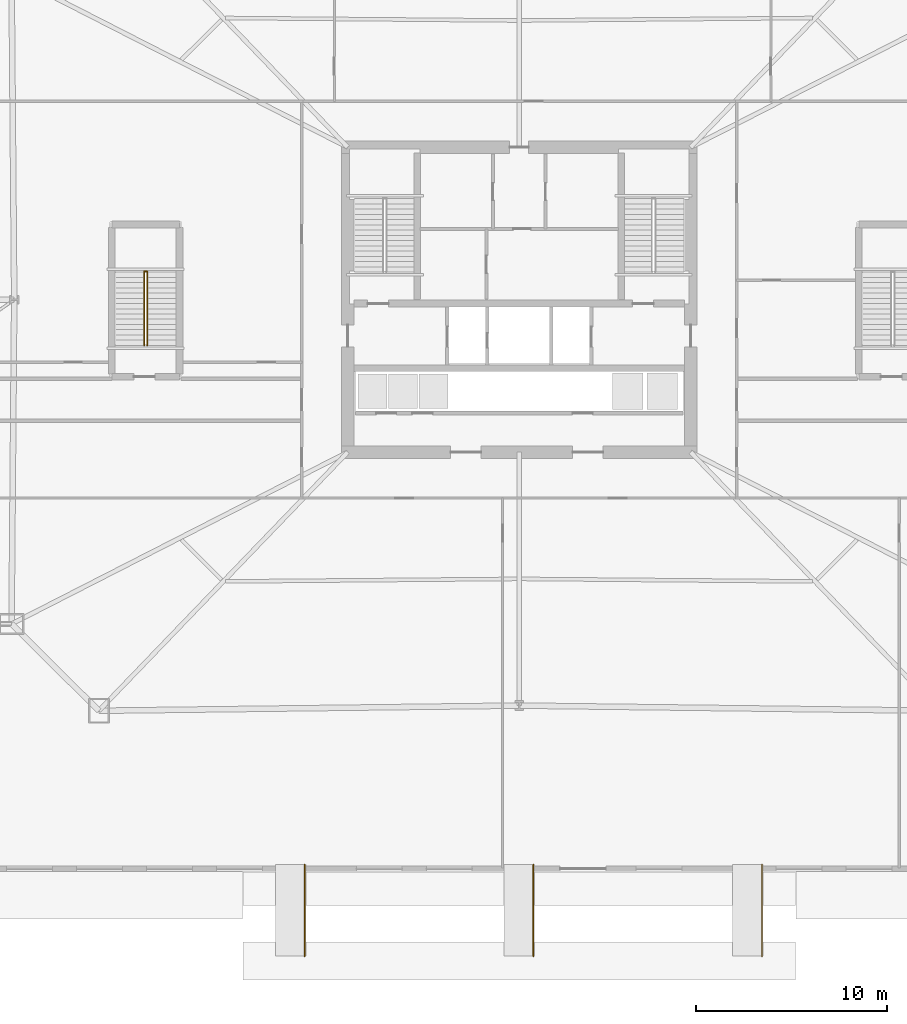
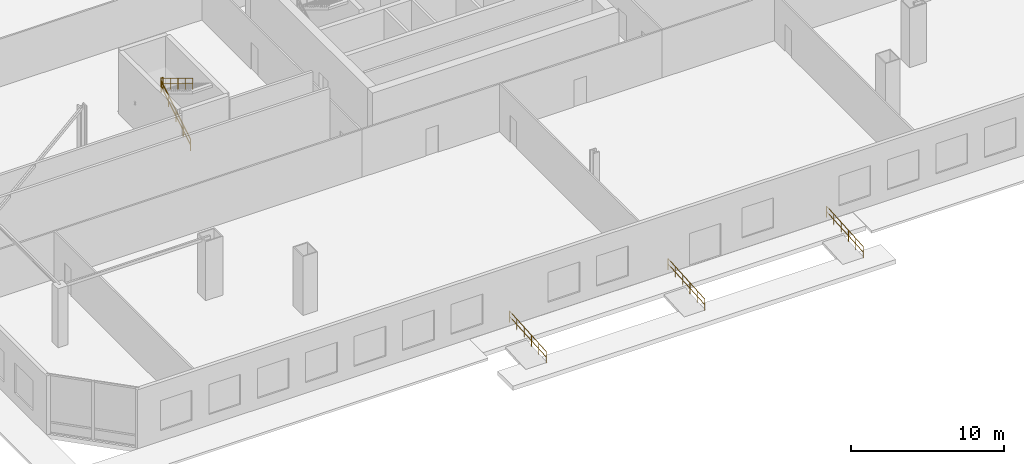
# One storey, part 20 of 23: 6 railings.
"""IFC4 building model written with IfcOpenShell, lengths in metres."""

from ifc_helpers import new_model, si_unit, direction, frame, origin, origin_2d, place, context, subcontext, project, spatial, circle, extrude, material, type_object, element, save


model = new_model("IFC4")

# Units and contexts
model_context = context("Model", 3, precision=1e-05, world=origin(), true_north=direction((0.0, 1.0)))
body_context = subcontext(model_context, "Body", "Model", "MODEL_VIEW")
ifc_project = project(units=[si_unit("LENGTHUNIT", "METRE"), si_unit("AREAUNIT", "SQUARE_METRE"), si_unit("VOLUMEUNIT", "CUBIC_METRE"), si_unit("PLANEANGLEUNIT", "RADIAN"), si_unit("MASSUNIT", "GRAM", prefix="KILO")], contexts=[model_context])

# Site, building, storey
site_placement = place(None, origin())
site = spatial("IfcSite", under=ifc_project, at=site_placement, CompositionType="ELEMENT")
building_placement = place(site_placement, origin())
building = spatial("IfcBuilding", under=site, at=building_placement, Name="Caelvoria Tower", CompositionType="ELEMENT")
storey_placement = place(building_placement, origin())
storey = spatial("IfcBuildingStorey", under=building, at=storey_placement, Name="L00", CompositionType="ELEMENT", Elevation=0.0)

# Railings
ifc_material_1 = material(Name="Brushed Stainless Steel Tube", Category="steel")
railing_type_1 = type_object("IfcRailingType", Name="Stair Tubular Stainless Handrail 920", PredefinedType="HANDRAIL", material=ifc_material_1)
railing_1_placement = place(storey_placement, frame((26.320068359375, 29.60009765625, 0.166748046875)))
element("IfcRailing", 1, at=railing_1_placement, inside=storey, type_object=railing_type_1, Name="ST-03 Flight 1 Handrail L00", PredefinedType="HANDRAIL", context=body_context, shape_type="SweptSolid", body=[
    extrude(circle(Radius=0.02392578125, at=origin_2d()), frame((0.0, 0.0, 0.89599609375), z_axis=(0.0, 0.855197103107, 0.518302918029), x_axis=(-1.0, 0.0, 0.0)), (0.0, 0.0, 1.0), 4.501708984375),
    extrude(circle(Radius=0.02392578125, at=origin_2d()), frame((0.0, 0.0, 0.4599609375), z_axis=(0.0, 0.855197103107, 0.518302918029), x_axis=(-1.0, 0.0, 0.0)), (0.0, 0.0, 1.0), 4.501708984375),
    extrude(circle(Radius=0.02099609375, at=origin_2d()), origin(), (0.0, 0.0, 1.0), 0.871826171875),
    extrude(circle(Radius=0.02099609375, at=origin_2d()), frame((0.0, 0.96240234375, 0.583251953125)), (0.0, 0.0, 1.0), 0.871826171875),
    extrude(circle(Radius=0.02099609375, at=origin_2d()), frame((0.0, 1.9248046875, 1.16650390625)), (0.0, 0.0, 1.0), 0.871826171875),
    extrude(circle(Radius=0.02099609375, at=origin_2d()), frame((0.0, 2.887451171875, 1.75)), (0.0, 0.0, 1.0), 0.871826171875),
    extrude(circle(Radius=0.02099609375, at=origin_2d()), frame((0.0, 3.849853515625, 2.333251953125)), (0.0, 0.0, 1.0), 0.871826171875),
])
railing_2_placement = place(storey_placement, frame((26.47998046875, 33.449951171875, 2.666748046875)))
element("IfcRailing", 2, at=railing_2_placement, inside=storey, type_object=railing_type_1, Name="ST-03 Flight 2 Handrail L00", PredefinedType="HANDRAIL", context=body_context, shape_type="SweptSolid", body=[
    extrude(circle(Radius=0.02392578125, at=origin_2d()), frame((0.0, 0.0, 0.89599609375), z_axis=(0.0, -0.855197103107, 0.518302918029), x_axis=(1.0, 0.0, 0.0)), (0.0, 0.0, 1.0), 4.501708984375),
    extrude(circle(Radius=0.02392578125, at=origin_2d()), frame((0.0, 0.0, 0.4599609375), z_axis=(0.0, -0.855197103107, 0.518302918029), x_axis=(1.0, 0.0, 0.0)), (0.0, 0.0, 1.0), 4.501708984375),
    extrude(circle(Radius=0.02099609375, at=origin_2d()), origin(), (0.0, 0.0, 1.0), 0.871826171875),
    extrude(circle(Radius=0.02099609375, at=origin_2d()), frame((0.0, -0.96240234375, 0.583251953125)), (0.0, 0.0, 1.0), 0.871826171875),
    extrude(circle(Radius=0.02099609375, at=origin_2d()), frame((0.0, -1.9248046875, 1.16650390625)), (0.0, 0.0, 1.0), 0.871826171875),
    extrude(circle(Radius=0.02099609375, at=origin_2d()), frame((0.0, -2.887451171875, 1.75)), (0.0, 0.0, 1.0), 0.871826171875),
    extrude(circle(Radius=0.02099609375, at=origin_2d()), frame((0.0, -3.849853515625, 2.333251953125)), (0.0, 0.0, 1.0), 0.871826171875),
])
for number, where, name in (
    (3, (34.739990234375, -2.449951171875, -0.330078125), "Accessible Ramp Handrail AR-01"),
    (4, (46.739990234375, -2.449951171875, -0.330078125), "Accessible Ramp Handrail AR-02"),
    (5, (58.739990234375, -2.449951171875, -0.330078125), "Accessible Ramp Handrail AR-03"),
):
    element("IfcRailing", number, at=place(storey_placement, frame(where)), inside=storey, type_object=railing_type_1, Name=name, PredefinedType="HANDRAIL", context=body_context, shape_type="SweptSolid", body=[
        extrude(circle(Radius=0.02392578125, at=origin_2d()), frame((0.0, 0.0, 0.89599609375), z_axis=(0.0, 0.997644000079, 0.068603564829), x_axis=(-1.0, 0.0, 0.0)), (0.0, 0.0, 1.0), 4.811279296875),
        extrude(circle(Radius=0.02392578125, at=origin_2d()), frame((0.0, 0.0, 0.4599609375), z_axis=(0.0, 0.997644000079, 0.068603564829), x_axis=(-1.0, 0.0, 0.0)), (0.0, 0.0, 1.0), 4.811279296875),
        extrude(circle(Radius=0.02099609375, at=origin_2d()), origin(), (0.0, 0.0, 1.0), 0.871826171875),
        extrude(circle(Radius=0.02099609375, at=origin_2d()), frame((0.0, 0.9599609375, 0.06591796875)), (0.0, 0.0, 1.0), 0.871826171875),
        extrude(circle(Radius=0.02099609375, at=origin_2d()), frame((0.0, 1.919921875, 0.132080078125)), (0.0, 0.0, 1.0), 0.871826171875),
        extrude(circle(Radius=0.02099609375, at=origin_2d()), frame((0.0, 2.880126953125, 0.197998046875)), (0.0, 0.0, 1.0), 0.871826171875),
        extrude(circle(Radius=0.02099609375, at=origin_2d()), frame((0.0, 3.840087890625, 0.26416015625)), (0.0, 0.0, 1.0), 0.871826171875),
        extrude(circle(Radius=0.02099609375, at=origin_2d()), frame((0.0, 4.800048828125, 0.330078125)), (0.0, 0.0, 1.0), 0.871826171875),
    ])
ifc_material_2 = material(Name="Brushed Stainless Steel Guardrail", Category="steel")
railing_type_2 = type_object("IfcRailingType", Name="Stair Well and Ramp Guardrail 1120", PredefinedType="GUARDRAIL", material=ifc_material_2)
railing_3_placement = place(storey_placement, frame((26.320068359375, 33.489990234375, 2.5)))
element("IfcRailing", 6, at=railing_3_placement, inside=storey, type_object=railing_type_2, Name="ST-03 Half-Landing Well Guard L00", PredefinedType="GUARDRAIL", context=body_context, shape_type="SweptSolid", body=[
    extrude(circle(Radius=0.02392578125, at=origin_2d()), frame((0.0, 0.0, 1.09619140625), z_axis=(1.0, 0.0, 0.0), x_axis=(0.0, 1.0, 0.0)), (0.0, 0.0, 1.0), 0.159912109375),
    extrude(circle(Radius=0.02392578125, at=origin_2d()), frame((0.0, 0.0, 0.56005859375), z_axis=(1.0, 0.0, 0.0), x_axis=(0.0, 1.0, 0.0)), (0.0, 0.0, 1.0), 0.159912109375),
    extrude(circle(Radius=0.02099609375, at=origin_2d()), origin(), (0.0, 0.0, 1.0), 1.072021484375),
    extrude(circle(Radius=0.02099609375, at=origin_2d()), frame((0.159912109375, 0.0, 0.0)), (0.0, 0.0, 1.0), 1.072021484375),
])

save(model, "model.ifc")
